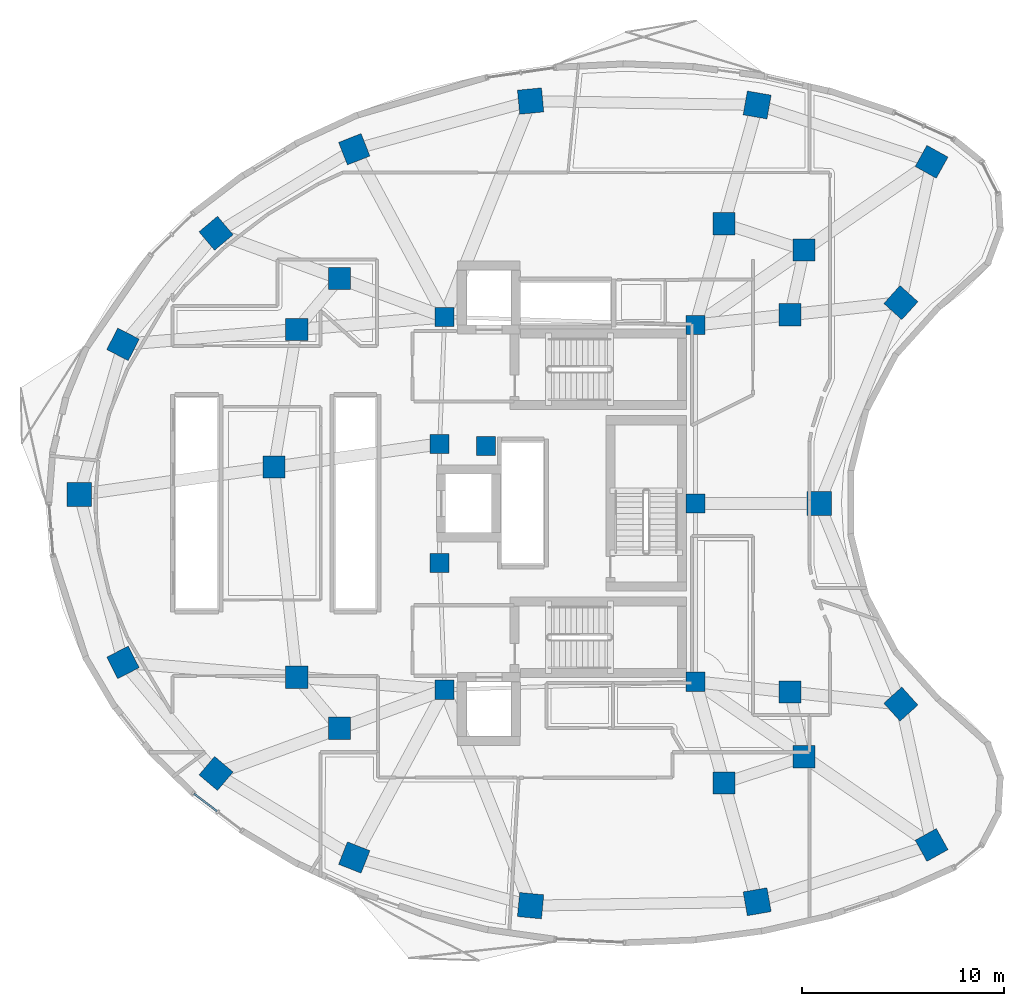
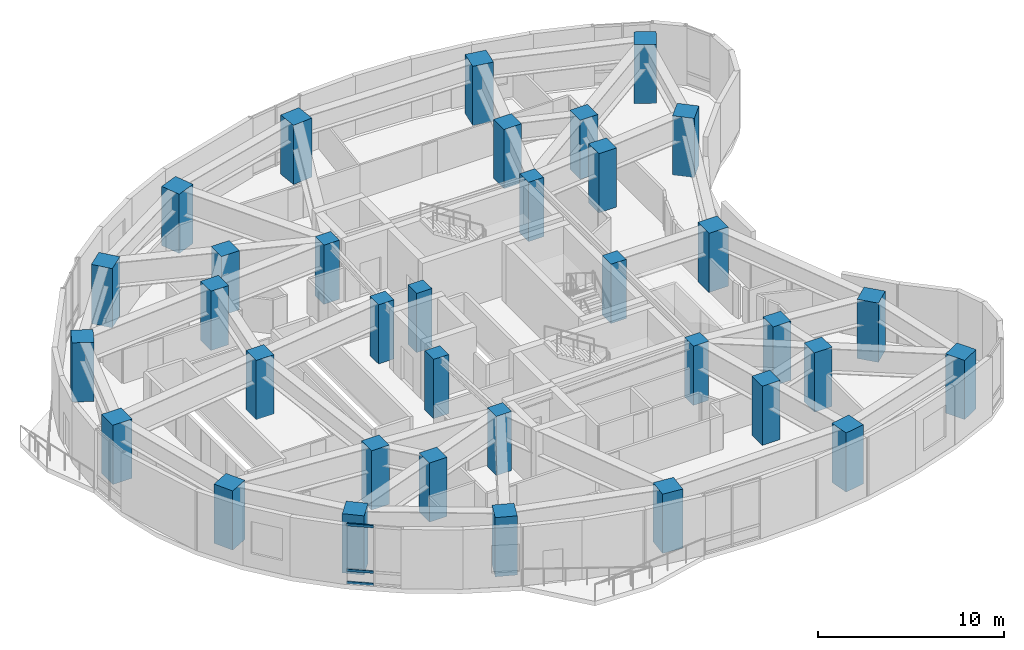
# One storey, part 1 of 13: 35 columns, 3 members, 1 element without a shape of its own.
"""IFC4 building model written with IfcOpenShell, lengths in metres."""

from ifc_helpers import new_model, si_unit, direction, frame, origin, origin_2d, place, context, subcontext, project, spatial, rectangle, extrude, material, layer, layer_set, material_profile, profile_set, type_object, element, aggregate, save


model = new_model("IFC4")

# Units and contexts
model_context = context("Model", 3, precision=1e-05, world=origin(), true_north=direction((0.0, 1.0)))
body_context = subcontext(model_context, "Body", "Model", "MODEL_VIEW")
ifc_project = project(units=[si_unit("LENGTHUNIT", "METRE"), si_unit("AREAUNIT", "SQUARE_METRE"), si_unit("VOLUMEUNIT", "CUBIC_METRE"), si_unit("PLANEANGLEUNIT", "RADIAN"), si_unit("MASSUNIT", "GRAM", prefix="KILO")], contexts=[model_context])

# Site, building, storey
site_placement = place(None, origin())
site = spatial("IfcSite", under=ifc_project, at=site_placement, CompositionType="ELEMENT")
building_placement = place(site_placement, origin())
building = spatial("IfcBuilding", under=site, at=building_placement, Name="Korentha Bioscience Tower", CompositionType="ELEMENT")
storey_placement = place(building_placement, frame((0.0, 0.0, 144.60009765625)))
storey = spatial("IfcBuildingStorey", under=building, at=storey_placement, Name="L33", CompositionType="ELEMENT", Elevation=144.60009765625)

# Columns
ifc_material_1 = material(Name="Concrete C65", Category="concrete")
ifc_material_profile_1 = material_profile(ifc_material_1, rectangle(XDim=0.949951171875, YDim=0.949951171875, at=origin_2d()), Name="Concrete C65")
ifc_profile_set_1 = profile_set([ifc_material_profile_1], Name="Concrete C65 (COL-CP09)")
column_type_1 = type_object("IfcColumnType", Name="Core Pilaster Column RC 950x950", PredefinedType="PILASTER", material=ifc_profile_set_1)
for number, where, z_axis, x_axis, name in (
    (1, (37.550048828125, 35.85009765625, -0.00048828125), (0.0, 0.0, 1.0), (1.0, 0.0, 0.0), "L33 Core Pilaster CP-01"),
    (2, (25.10009765625, 36.25, -0.00048828125), (0.0, 0.0, 1.0), (1.0, 0.0, 0.0), "L33 Core Pilaster CP-02"),
    (3, (24.85009765625, 29.949951171875, -0.00048828125), (0.0, 0.0, 1.0), (1.0, 0.0, 0.0), "L33 Core Pilaster CP-03"),
    (4, (27.14990234375, 29.85009765625, -0.00048828125), (0.0, 0.0, 1.0), (1.0, 0.0, 0.0), "L33 Core Pilaster CP-04"),
    (5, (24.85009765625, 24.050048828125, -0.00048828125), (0.0, 0.0, 1.0), (1.0, 0.0, 0.0), "L33 Core Pilaster CP-05"),
    (6, (25.10009765625, 17.75, -0.00048828125), (0.0, 0.0, 1.0), (1.0, 0.0, 0.0), "L33 Core Pilaster CP-06"),
    (7, (37.550048828125, 18.14990234375, -0.00048828125), (0.0, 0.0, 1.0), (1.0, 0.0, 0.0), "L33 Core Pilaster CP-07"),
    (8, (37.550048828125, 27.0, -0.00048828125), (0.0, 0.0, 1.0), (1.0, 0.0, 0.0), "L33 Core Pilaster CP-08"),
):
    element("IfcColumn", number, at=place(storey_placement, frame(where, z_axis=z_axis, x_axis=x_axis)), inside=storey, type_object=column_type_1, Name=name, PredefinedType="PILASTER", context=body_context, shape_type="SweptSolid", body=[
        extrude(rectangle(XDim=0.949951171875, YDim=0.949951171875, at=origin_2d()), origin(), (0.0, 0.0, 1.0), 3.880859375),
    ])
ifc_material_2 = material(Name="Concrete C80", Category="concrete")
ifc_material_profile_2 = material_profile(ifc_material_2, rectangle(XDim=1.10009765625, YDim=1.10009765625, at=origin_2d()), Name="Concrete C80")
ifc_profile_set_2 = profile_set([ifc_material_profile_2], Name="Concrete C80 (COL-MR11)")
column_type_2 = type_object("IfcColumnType", Name="Mid-Ring Lab Column RC 1100x1100", PredefinedType="COLUMN", material=ifc_profile_set_2)
for number, where, z_axis, x_axis, name in (
    (9, (42.93603515625, 39.57470703125, -0.00048828125), (0.0, 0.0, 1.0), (1.0, 0.0, 0.0), "L33 Mid-Ring Column 01"),
    (10, (38.954833984375, 40.870849609375, -0.00048828125), (0.0, 0.0, 1.0), (1.0, 0.0, 0.0), "L33 Mid-Ring Column 02"),
    (11, (19.882568359375, 38.158935546875, -0.00048828125), (0.0, 0.0, 1.0), (1.0, 0.0, 0.0), "L33 Mid-Ring Column 05"),
    (12, (17.75927734375, 35.6240234375, -0.00048828125), (0.0, 0.0, 1.0), (1.0, 0.0, 0.0), "L33 Mid-Ring Column 06"),
    (13, (16.627197265625, 28.796630859375, -0.00048828125), (0.0, 0.0, 1.0), (1.0, 0.0, 0.0), "L33 Mid-Ring Column 07"),
    (14, (17.75927734375, 18.3759765625, -0.00048828125), (0.0, 0.0, 1.0), (1.0, 0.0, 0.0), "L33 Mid-Ring Column 08"),
    (15, (19.882568359375, 15.841064453125, -0.00048828125), (0.0, 0.0, 1.0), (1.0, 0.0, 0.0), "L33 Mid-Ring Column 09"),
    (16, (38.954833984375, 13.129150390625, -0.00048828125), (0.0, 0.0, 1.0), (1.0, 0.0, 0.0), "L33 Mid-Ring Column 12"),
    (17, (42.93603515625, 14.42529296875, -0.00048828125), (0.0, 0.0, 1.0), (1.0, 0.0, 0.0), "L33 Mid-Ring Column 13"),
    (18, (42.235595703125, 17.639404296875, -0.00048828125), (0.0, 0.0, 1.0), (1.0, 0.0, 0.0), "L33 Mid-Ring Column 14"),
    (19, (42.235595703125, 36.360595703125, -0.00048828125), (0.0, 0.0, 1.0), (1.0, 0.0, 0.0), "L33 Mid-Ring Column 16"),
):
    element("IfcColumn", number, at=place(storey_placement, frame(where, z_axis=z_axis, x_axis=x_axis)), inside=storey, type_object=column_type_2, Name=name, PredefinedType="COLUMN", context=body_context, shape_type="SweptSolid", body=[
        extrude(rectangle(XDim=1.10009765625, YDim=1.10009765625, at=origin_2d()), origin(), (0.0, 0.0, 1.0), 3.880859375),
    ])
ifc_material_profile_3 = material_profile(ifc_material_2, rectangle(XDim=1.199951171875, YDim=1.199951171875, at=origin_2d()), Name="Concrete C80")
ifc_profile_set_3 = profile_set([ifc_material_profile_3], Name="Concrete C80 (COL-P12)")
column_type_3 = type_object("IfcColumnType", Name="Perimeter Column RC 1200x1200", PredefinedType="COLUMN", material=ifc_profile_set_3)
for number, where, z_axis, x_axis, name in (
    (20, (49.2587890625, 43.947021484375, -0.00048828125), (0.0, 0.0, 1.0), (-0.874535078577, 0.484962262797, 0.0), "L33 Perimeter Column 01"),
    (21, (40.604248046875, 46.764892578125, -0.00048828125), (0.0, 0.0, 1.0), (-0.984868307662, 0.173304404339, 0.0), "L33 Perimeter Column 02"),
    (22, (29.3642578125, 46.959228515625, -0.00048828125), (0.0, 0.0, 1.0), (0.995462868748, 0.095150811579, 0.0), "L33 Perimeter Column 03"),
    (23, (20.614990234375, 44.5693359375, -0.00048828125), (0.0, 0.0, 1.0), (0.930225540858, 0.366988341962, 0.0), "L33 Perimeter Column 04"),
    (24, (13.7578125, 40.400146484375, -0.00048828125), (0.0, 0.0, 1.0), (0.764246456939, 0.644924300253, 0.0), "L33 Perimeter Column 05"),
    (25, (9.141845703125, 34.889404296875, -0.00048828125), (0.0, 0.0, 1.0), (0.453057191132, 0.891481453292, 0.0), "L33 Perimeter Column 06"),
    (26, (6.97412109375, 27.4423828125, -0.00048828125), (0.0, 0.0, 1.0), (0.0, 1.0, 0.0), "L33 Perimeter Column 07"),
    (27, (9.141845703125, 19.110595703125, -0.00048828125), (0.0, 0.0, 1.0), (-0.453057191132, 0.891481453292, 0.0), "L33 Perimeter Column 08"),
    (28, (13.7578125, 13.599853515625, -0.00048828125), (0.0, 0.0, 1.0), (-0.764246456939, 0.644924300253, 0.0), "L33 Perimeter Column 09"),
    (29, (20.614990234375, 9.4306640625, -0.00048828125), (0.0, 0.0, 1.0), (-0.930225540858, 0.366988341962, 0.0), "L33 Perimeter Column 10"),
    (30, (29.3642578125, 7.040771484375, -0.00048828125), (0.0, 0.0, 1.0), (-0.995462868748, 0.095150811579, 0.0), "L33 Perimeter Column 11"),
    (31, (40.604248046875, 7.235107421875, -0.00048828125), (0.0, 0.0, 1.0), (0.984868307662, 0.173304404339, 0.0), "L33 Perimeter Column 12"),
    (32, (49.2587890625, 10.052978515625, -0.00048828125), (0.0, 0.0, 1.0), (0.874535078577, 0.484962262797, 0.0), "L33 Perimeter Column 13"),
    (33, (47.736083984375, 17.040283203125, -0.00048828125), (0.0, 0.0, 1.0), (-0.669130606359, 0.743144825477, 0.0), "L33 Perimeter Column 14"),
    (34, (43.680908203125, 27.0, -0.00048828125), (0.0, 0.0, 1.0), (0.0, 1.0, 0.0), "L33 Perimeter Column 15"),
    (35, (47.736083984375, 36.959716796875, -0.00048828125), (0.0, 0.0, 1.0), (0.669130606359, 0.743144825477, 0.0), "L33 Perimeter Column 16"),
):
    element("IfcColumn", number, at=place(storey_placement, frame(where, z_axis=z_axis, x_axis=x_axis)), inside=storey, type_object=column_type_3, Name=name, PredefinedType="COLUMN", context=body_context, shape_type="SweptSolid", body=[
        extrude(rectangle(XDim=1.199951171875, YDim=1.199951171875, at=origin_2d()), origin(), (0.0, 0.0, 1.0), 3.880859375),
    ])

# Curtain wall, members
ifc_material_3 = material(Name="Thermally Broken Aluminium Frame", Category="aluminium")
ifc_layer = layer(ifc_material_3, 0.219970703125, Name="Thermally Broken Aluminium Frame")
ifc_layer_set = layer_set([ifc_layer], Name="Thermally Broken Aluminium Frame (CW-T1)")
curtain_wall_type = type_object("IfcCurtainWallType", Name="Standard Bioscience Lab Unitised Curtain Wall CW-T1", PredefinedType="USERDEFINED", material=ifc_layer_set)
curtain_wall_placement = place(storey_placement, origin())
curtain_wall = element("IfcCurtainWall", 36, at=curtain_wall_placement, inside=storey, type_object=curtain_wall_type, Name="L33 Curtain Wall 25", ObjectType="UNITISED", PredefinedType="USERDEFINED")
ifc_material_4 = material(Name="Anodised Aluminium 6063-T6", Category="aluminium")
ifc_material_profile_4 = material_profile(ifc_material_4, rectangle(XDim=0.090087890625, YDim=0.159912109375, at=origin_2d()), Name="Anodised Aluminium 6063-T6")
ifc_profile_set_4 = profile_set([ifc_material_profile_4], Name="Anodised Aluminium 6063-T6 (CW-TRN)")
member_type = type_object("IfcMemberType", Name="Transom RECT 90x160", PredefinedType="USERDEFINED", material=ifc_profile_set_4)
member_1_placement = place(storey_placement, frame((12.659912109375, 12.601318359375, 0.044921875), z_axis=(0.794559026989, -0.607186917374, 0.0), x_axis=(0.607186917374, 0.794559026989, 0.0)))
member_1 = element("IfcMember", 37, at=member_1_placement, type_object=member_type, Name="CW-L33-25 Bay 1 Transom 1", ObjectType="TRANSOM", PredefinedType="USERDEFINED", context=body_context, shape_type="SweptSolid", body=[
    extrude(rectangle(XDim=0.090087890625, YDim=0.159912109375, at=origin_2d()), origin(), (0.0, 0.0, 1.0), 1.4462890625),
])
member_2_placement = place(storey_placement, frame((12.659912109375, 12.601318359375, 0.849853515625), z_axis=(0.794559026989, -0.607186917374, 0.0), x_axis=(0.607186917374, 0.794559026989, 0.0)))
member_2 = element("IfcMember", 38, at=member_2_placement, type_object=member_type, Name="CW-L33-25 Bay 1 Transom 2", ObjectType="TRANSOM", PredefinedType="USERDEFINED", context=body_context, shape_type="SweptSolid", body=[
    extrude(rectangle(XDim=0.090087890625, YDim=0.159912109375, at=origin_2d()), origin(), (0.0, 0.0, 1.0), 1.4462890625),
])
member_3_placement = place(storey_placement, frame((12.659912109375, 12.601318359375, 3.8349609375), z_axis=(0.794559026989, -0.607186917374, 0.0), x_axis=(0.607186917374, 0.794559026989, 0.0)))
member_3 = element("IfcMember", 39, at=member_3_placement, type_object=member_type, Name="CW-L33-25 Bay 1 Transom 3", ObjectType="TRANSOM", PredefinedType="USERDEFINED", context=body_context, shape_type="SweptSolid", body=[
    extrude(rectangle(XDim=0.090087890625, YDim=0.159912109375, at=origin_2d()), origin(), (0.0, 0.0, 1.0), 1.4462890625),
])
aggregate(curtain_wall, [member_1, member_2, member_3])

save(model, "model.ifc")
